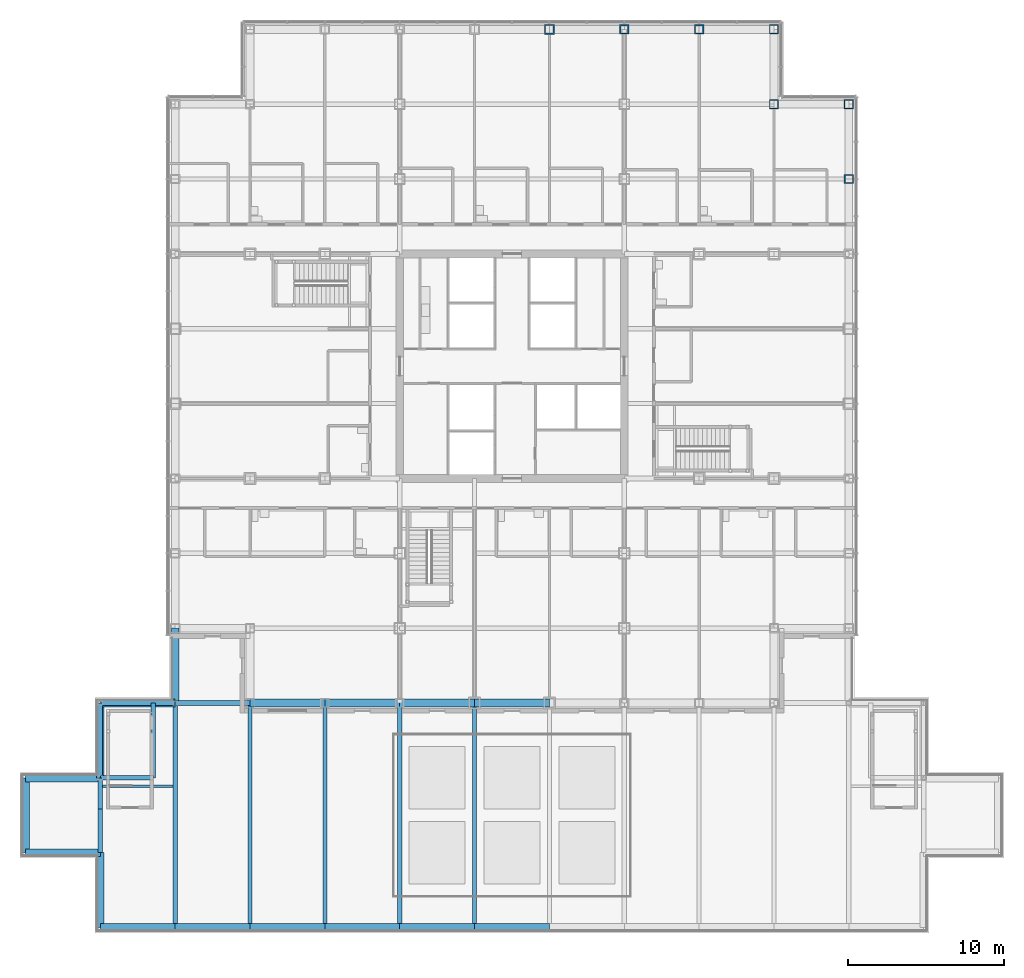
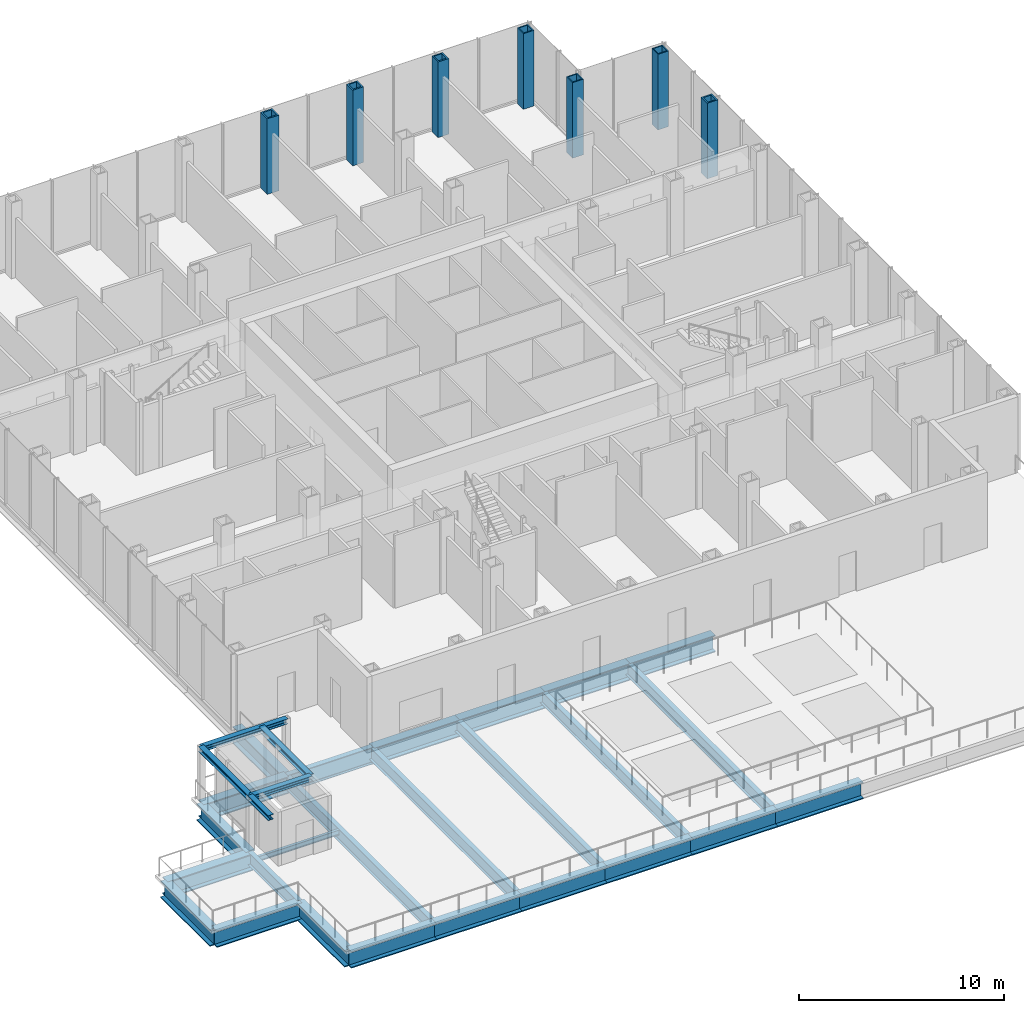
# One storey, part 8 of 24: 30 beams, 7 columns.
"""IFC4 building model written with IfcOpenShell, lengths in metres."""

from ifc_helpers import new_model, si_unit, direction, frame, origin, origin_2d, place, context, subcontext, project, spatial, hollow_rectangle, i_section, extrude, material, material_profile, profile_set, type_object, element, save


model = new_model("IFC4")

# Units and contexts
model_context = context("Model", 3, precision=1e-05, world=origin(), true_north=direction((0.0, 1.0)))
body_context = subcontext(model_context, "Body", "Model", "MODEL_VIEW")
ifc_project = project(units=[si_unit("LENGTHUNIT", "METRE"), si_unit("AREAUNIT", "SQUARE_METRE"), si_unit("VOLUMEUNIT", "CUBIC_METRE"), si_unit("PLANEANGLEUNIT", "RADIAN"), si_unit("MASSUNIT", "GRAM", prefix="KILO")], contexts=[model_context])

# Site, building, storey
site_placement = place(None, origin())
site = spatial("IfcSite", under=ifc_project, at=site_placement, CompositionType="ELEMENT")
building_placement = place(site_placement, origin())
building = spatial("IfcBuilding", under=site, at=building_placement, Name="Kvirike Care Tower", CompositionType="ELEMENT")
storey_placement = place(building_placement, frame((0.0, 0.0, 22.5)))
storey = spatial("IfcBuildingStorey", under=building, at=storey_placement, Name="L05", CompositionType="ELEMENT", Elevation=22.5)

# Columns
ifc_material_1 = material(Name="Steel S460", Category="steel")
ifc_material_profile_1 = material_profile(ifc_material_1, hollow_rectangle(XDim=0.60009765625, YDim=0.60009765625, WallThickness=0.06005859375, at=origin_2d()), Name="BX 600x600x60")
ifc_profile_set_1 = profile_set([ifc_material_profile_1], Name="Steel S460")
column_type_1 = type_object("IfcColumnType", Name="COLUMN BX 600x600x60", PredefinedType="COLUMN", material=ifc_profile_set_1)
for number, where, z_axis, x_axis, name in (
    (1, (38.39990234375, 52.800048828125, 0.0), (0.0, 0.0, 1.0), (0.0, 1.0, 0.0), "Column M11 L05"),
    (2, (38.39990234375, 57.60009765625, 0.0), (0.0, 0.0, 1.0), (0.0, 1.0, 0.0), "Column N11 L05"),
    (3, (43.199951171875, 52.800048828125, 0.0), (0.0, 0.0, 1.0), (0.0, 1.0, 0.0), "Column M12 L05"),
):
    element("IfcColumn", number, at=place(storey_placement, frame(where, z_axis=z_axis, x_axis=x_axis)), inside=storey, type_object=column_type_1, Name=name, PredefinedType="COLUMN", context=body_context, shape_type="SweptSolid", body=[
        extrude(hollow_rectangle(XDim=0.60009765625, YDim=0.60009765625, WallThickness=0.06005859375, at=origin_2d()), origin(), (0.0, 0.0, 1.0), 4.5),
    ])
ifc_material_2 = material(Name="Steel S460", Category="steel")
ifc_material_profile_2 = material_profile(ifc_material_2, hollow_rectangle(XDim=0.60009765625, YDim=0.60009765625, WallThickness=0.080078125, at=origin_2d()), Name="BX 600x600x80")
ifc_profile_set_2 = profile_set([ifc_material_profile_2], Name="Steel S460")
column_type_2 = type_object("IfcColumnType", Name="COLUMN BX 600x600x80", PredefinedType="COLUMN", material=ifc_profile_set_2)
for number, where, z_axis, x_axis, name in (
    (4, (28.800048828125, 57.60009765625, 0.0), (0.0, 0.0, 1.0), (0.0, 1.0, 0.0), "Column N9 L05"),
    (5, (33.60009765625, 57.60009765625, 0.0), (0.0, 0.0, 1.0), (0.0, 1.0, 0.0), "Column N10 L05"),
    (6, (43.199951171875, 48.0, 0.0), (0.0, 0.0, 1.0), (1.0, 0.0, 0.0), "Column L12 L05"),
):
    element("IfcColumn", number, at=place(storey_placement, frame(where, z_axis=z_axis, x_axis=x_axis)), inside=storey, type_object=column_type_2, Name=name, PredefinedType="COLUMN", context=body_context, shape_type="SweptSolid", body=[
        extrude(hollow_rectangle(XDim=0.60009765625, YDim=0.60009765625, WallThickness=0.080078125, at=origin_2d()), origin(), (0.0, 0.0, 1.0), 4.5),
    ])
ifc_material_3 = material(Name="Steel S460", Category="steel")
ifc_material_profile_3 = material_profile(ifc_material_3, hollow_rectangle(XDim=0.64990234375, YDim=0.64990234375, WallThickness=0.080078125, at=origin_2d()), Name="BX 650x650x80")
ifc_profile_set_3 = profile_set([ifc_material_profile_3], Name="Steel S460")
column_type_3 = type_object("IfcColumnType", Name="COLUMN BX 650x650x80", PredefinedType="COLUMN", material=ifc_profile_set_3)
column_placement = place(storey_placement, frame((24.0, 57.60009765625, 0.0), z_axis=(0.0, 0.0, 1.0), x_axis=(0.0, 1.0, 0.0)))
element("IfcColumn", 7, at=column_placement, inside=storey, type_object=column_type_3, Name="Column N8 L05", PredefinedType="COLUMN", context=body_context, shape_type="SweptSolid", body=[
    extrude(hollow_rectangle(XDim=0.64990234375, YDim=0.64990234375, WallThickness=0.080078125, at=origin_2d()), origin(), (0.0, 0.0, 1.0), 4.5),
])

# Beams
ifc_material_4 = material(Name="Steel S355", Category="steel")
ifc_material_profile_4 = material_profile(ifc_material_4, i_section(OverallWidth=0.26806640625, OverallDepth=0.77001953125, WebThickness=0.015625, FlangeThickness=0.025390625, FilletRadius=0.01708984375, at=origin_2d()), Name="IPE 750x196")
ifc_profile_set_4 = profile_set([ifc_material_profile_4], Name="Steel S355")
beam_type_1 = type_object("IfcBeamType", Name="FLOOR BEAM IPE 750x196", PredefinedType="BEAM", material=ifc_profile_set_4)
beam_1_placement = place(storey_placement, frame((-4.800048828125, 4.800048828125, -0.554931640625), z_axis=(0.0, 1.0, 0.0), x_axis=(-1.0, 0.0, 0.0)))
element("IfcBeam", 8, at=beam_1_placement, inside=storey, type_object=beam_type_1, Name="Floor Beam B2-C2 L05", PredefinedType="BEAM", context=body_context, shape_type="SweptSolid", body=[
    extrude(i_section(OverallWidth=0.26806640625, OverallDepth=0.77001953125, WebThickness=0.015625, FlangeThickness=0.025390625, FilletRadius=0.01708984375, at=origin_2d()), origin(), (0.0, 0.0, 1.0), 4.800048828125),
])
for number, where, z_axis, x_axis, name in (
    (9, (0.0, 0.0, -0.554931640625), (0.0, 1.0, 0.0), (-1.0, 0.0, 0.0), "Floor Beam A3-D3 L05"),
    (10, (4.800048828125, 0.0, -0.554931640625), (0.0, 1.0, 0.0), (-1.0, 0.0, 0.0), "Floor Beam A4-D4 L05"),
    (11, (9.60009765625, 0.0, -0.554931640625), (0.0, 1.0, 0.0), (-1.0, 0.0, 0.0), "Floor Beam A5-D5 L05"),
    (12, (14.39990234375, 0.0, -0.554931640625), (0.0, 1.0, 0.0), (-1.0, 0.0, 0.0), "Floor Beam A6-D6 L05"),
    (13, (19.199951171875, 0.0, -0.554931640625), (0.0, 1.0, 0.0), (-1.0, 0.0, 0.0), "Floor Beam A7-D7 L05"),
):
    element("IfcBeam", number, at=place(storey_placement, frame(where, z_axis=z_axis, x_axis=x_axis)), inside=storey, type_object=beam_type_1, Name=name, PredefinedType="BEAM", context=body_context, shape_type="SweptSolid", body=[
        extrude(i_section(OverallWidth=0.26806640625, OverallDepth=0.77001953125, WebThickness=0.015625, FlangeThickness=0.025390625, FilletRadius=0.01708984375, at=origin_2d()), origin(), (0.0, 0.0, 1.0), 14.39990234375),
    ])
ifc_material_5 = material(Name="Steel S355", Category="steel")
ifc_material_profile_5 = material_profile(ifc_material_5, i_section(OverallWidth=0.300048828125, OverallDepth=1.0, WebThickness=0.01904296875, FlangeThickness=0.035888671875, FilletRadius=0.030029296875, at=origin_2d()), Name="HE 1000 B")
ifc_profile_set_5 = profile_set([ifc_material_profile_5], Name="Steel S355")
beam_type_2 = type_object("IfcBeamType", Name="FRAME BEAM HE 1000 B", PredefinedType="BEAM", material=ifc_profile_set_5)
beam_2_placement = place(storey_placement, frame((0.0, 14.39990234375, -0.669921875), z_axis=(1.0, 0.0, 0.0), x_axis=(0.0, 1.0, 0.0)))
element("IfcBeam", 14, at=beam_2_placement, inside=storey, type_object=beam_type_2, Name="Frame Beam D3-D4 L05", PredefinedType="BEAM", context=body_context, shape_type="SweptSolid", body=[
    extrude(i_section(OverallWidth=0.300048828125, OverallDepth=1.0, WebThickness=0.01904296875, FlangeThickness=0.035888671875, FilletRadius=0.030029296875, at=origin_2d()), origin(), (0.0, 0.0, 1.0), 4.800048828125),
])
ifc_material_6 = material(Name="Steel S355", Category="steel")
ifc_material_profile_6 = material_profile(ifc_material_6, i_section(OverallWidth=0.300048828125, OverallDepth=0.300048828125, WebThickness=0.010986328125, FlangeThickness=0.01904296875, FilletRadius=0.027099609375, at=origin_2d()), Name="HE 300 B")
ifc_profile_set_6 = profile_set([ifc_material_profile_6], Name="Steel S355")
beam_type_3 = type_object("IfcBeamType", Name="HEAD-HOUSE ROOF BEAM HE 300 B", PredefinedType="BEAM", material=ifc_profile_set_6)
beam_3_placement = place(storey_placement, frame((-4.800048828125, 7.60009765625, 3.050048828125), z_axis=(0.0, 1.0, 0.0), x_axis=(-1.0, 0.0, 0.0)))
element("IfcBeam", 15, at=beam_3_placement, inside=storey, type_object=beam_type_3, Name="Stair 3 head-house roof beam 1", PredefinedType="BEAM", context=body_context, shape_type="SweptSolid", body=[
    extrude(i_section(OverallWidth=0.300048828125, OverallDepth=0.300048828125, WebThickness=0.010986328125, FlangeThickness=0.01904296875, FilletRadius=0.027099609375, at=origin_2d()), origin(), (0.0, 0.0, 1.0), 2.0),
])
beam_4_placement = place(storey_placement, frame((-4.800048828125, 9.60009765625, 3.050048828125), z_axis=(0.0, 1.0, 0.0), x_axis=(-1.0, 0.0, 0.0)))
element("IfcBeam", 16, at=beam_4_placement, inside=storey, type_object=beam_type_3, Name="Stair 3 head-house roof beam 2", PredefinedType="BEAM", context=body_context, shape_type="SweptSolid", body=[
    extrude(i_section(OverallWidth=0.300048828125, OverallDepth=0.300048828125, WebThickness=0.010986328125, FlangeThickness=0.01904296875, FilletRadius=0.027099609375, at=origin_2d()), origin(), (0.0, 0.0, 1.0), 4.7998046875),
])
beam_5_placement = place(storey_placement, frame((-4.800048828125, 14.39990234375, 3.050048828125), z_axis=(1.0, 0.0, 0.0), x_axis=(0.0, 1.0, 0.0)))
element("IfcBeam", 17, at=beam_5_placement, inside=storey, type_object=beam_type_3, Name="Stair 3 head-house roof beam 3", PredefinedType="BEAM", context=body_context, shape_type="SweptSolid", body=[
    extrude(i_section(OverallWidth=0.300048828125, OverallDepth=0.300048828125, WebThickness=0.010986328125, FlangeThickness=0.01904296875, FilletRadius=0.027099609375, at=origin_2d()), origin(), (0.0, 0.0, 1.0), 4.800048828125),
])
beam_6_placement = place(storey_placement, frame((-4.800048828125, 9.60009765625, 3.050048828125), z_axis=(1.0, 0.0, 0.0), x_axis=(0.0, 1.0, 0.0)))
element("IfcBeam", 18, at=beam_6_placement, inside=storey, type_object=beam_type_3, Name="Stair 3 head-house roof beam 4", PredefinedType="BEAM", context=body_context, shape_type="SweptSolid", body=[
    extrude(i_section(OverallWidth=0.300048828125, OverallDepth=0.300048828125, WebThickness=0.010986328125, FlangeThickness=0.01904296875, FilletRadius=0.027099609375, at=origin_2d()), origin(), (0.0, 0.0, 1.0), 3.400146484375),
])
beam_7_placement = place(storey_placement, frame((-1.39990234375, 9.60009765625, 3.050048828125), z_axis=(0.0, 1.0, 0.0), x_axis=(-1.0, 0.0, 0.0)))
element("IfcBeam", 19, at=beam_7_placement, inside=storey, type_object=beam_type_3, Name="Stair 3 head-house roof beam 5", PredefinedType="BEAM", context=body_context, shape_type="SweptSolid", body=[
    extrude(i_section(OverallWidth=0.300048828125, OverallDepth=0.300048828125, WebThickness=0.010986328125, FlangeThickness=0.01904296875, FilletRadius=0.027099609375, at=origin_2d()), origin(), (0.0, 0.0, 1.0), 4.7998046875),
])
ifc_material_7 = material(Name="Steel S355", Category="steel")
ifc_material_profile_7 = material_profile(ifc_material_7, i_section(OverallWidth=0.5, OverallDepth=1.0, WebThickness=0.030029296875, FlangeThickness=0.06005859375, at=origin_2d()), Name="PG 1000x500x30x60")
ifc_profile_set_7 = profile_set([ifc_material_profile_7], Name="Steel S355")
beam_type_4 = type_object("IfcBeamType", Name="SPANDREL PG 1000x500x30x60", PredefinedType="SPANDREL", material=ifc_profile_set_7)
for number, where, z_axis, x_axis, name in (
    (20, (-4.800048828125, 0.0, -0.669921875), (1.0, 0.0, 0.0), (0.0, 1.0, 0.0), "Spandrel A2-A3 L05"),
    (21, (0.0, 0.0, -0.669921875), (1.0, 0.0, 0.0), (0.0, 1.0, 0.0), "Spandrel A3-A4 L05"),
    (22, (4.800048828125, 0.0, -0.669921875), (1.0, 0.0, 0.0), (0.0, 1.0, 0.0), "Spandrel A4-A5 L05"),
):
    element("IfcBeam", number, at=place(storey_placement, frame(where, z_axis=z_axis, x_axis=x_axis)), inside=storey, type_object=beam_type_4, Name=name, PredefinedType="SPANDREL", context=body_context, shape_type="SweptSolid", body=[
        extrude(i_section(OverallWidth=0.5, OverallDepth=1.0, WebThickness=0.030029296875, FlangeThickness=0.06005859375, at=origin_2d()), origin(), (0.0, 0.0, 1.0), 4.800048828125),
    ])
beam_8_placement = place(storey_placement, frame((9.60009765625, 0.0, -0.669921875), z_axis=(1.0, 0.0, 0.0), x_axis=(0.0, 1.0, 0.0)))
element("IfcBeam", 23, at=beam_8_placement, inside=storey, type_object=beam_type_4, Name="Spandrel A5-A6 L05", PredefinedType="SPANDREL", context=body_context, shape_type="SweptSolid", body=[
    extrude(i_section(OverallWidth=0.5, OverallDepth=1.0, WebThickness=0.030029296875, FlangeThickness=0.06005859375, at=origin_2d()), origin(), (0.0, 0.0, 1.0), 4.7998046875),
])
for number, where, z_axis, x_axis, name in (
    (24, (14.39990234375, 0.0, -0.669921875), (1.0, 0.0, 0.0), (0.0, 1.0, 0.0), "Spandrel A6-A7 L05"),
    (25, (19.199951171875, 0.0, -0.669921875), (1.0, 0.0, 0.0), (0.0, 1.0, 0.0), "Spandrel A7-A8 L05"),
    (26, (-9.60009765625, 4.800048828125, -0.669921875), (1.0, 0.0, 0.0), (0.0, 1.0, 0.0), "Spandrel B1-B2 L05"),
    (27, (-9.60009765625, 9.60009765625, -0.669921875), (1.0, 0.0, 0.0), (0.0, 1.0, 0.0), "Spandrel C1-C2 L05"),
    (28, (-4.800048828125, 14.39990234375, -0.669921875), (1.0, 0.0, 0.0), (0.0, 1.0, 0.0), "Spandrel D2-D3 L05"),
    (29, (4.800048828125, 14.39990234375, -0.669921875), (1.0, 0.0, 0.0), (0.0, 1.0, 0.0), "Spandrel D4-D5 L05"),
):
    element("IfcBeam", number, at=place(storey_placement, frame(where, z_axis=z_axis, x_axis=x_axis)), inside=storey, type_object=beam_type_4, Name=name, PredefinedType="SPANDREL", context=body_context, shape_type="SweptSolid", body=[
        extrude(i_section(OverallWidth=0.5, OverallDepth=1.0, WebThickness=0.030029296875, FlangeThickness=0.06005859375, at=origin_2d()), origin(), (0.0, 0.0, 1.0), 4.800048828125),
    ])
beam_9_placement = place(storey_placement, frame((9.60009765625, 14.39990234375, -0.669921875), z_axis=(1.0, 0.0, 0.0), x_axis=(0.0, 1.0, 0.0)))
element("IfcBeam", 30, at=beam_9_placement, inside=storey, type_object=beam_type_4, Name="Spandrel D5-D6 L05", PredefinedType="SPANDREL", context=body_context, shape_type="SweptSolid", body=[
    extrude(i_section(OverallWidth=0.5, OverallDepth=1.0, WebThickness=0.030029296875, FlangeThickness=0.06005859375, at=origin_2d()), origin(), (0.0, 0.0, 1.0), 4.7998046875),
])
for number, where, z_axis, x_axis, name in (
    (31, (14.39990234375, 14.39990234375, -0.669921875), (1.0, 0.0, 0.0), (0.0, 1.0, 0.0), "Spandrel D6-D7 L05"),
    (32, (19.199951171875, 14.39990234375, -0.669921875), (1.0, 0.0, 0.0), (0.0, 1.0, 0.0), "Spandrel D7-D8 L05"),
    (33, (-9.60009765625, 4.800048828125, -0.669921875), (0.0, 1.0, 0.0), (-1.0, 0.0, 0.0), "Spandrel B1-C1 L05"),
    (34, (-4.800048828125, 0.0, -0.669921875), (0.0, 1.0, 0.0), (-1.0, 0.0, 0.0), "Spandrel A2-B2 L05"),
):
    element("IfcBeam", number, at=place(storey_placement, frame(where, z_axis=z_axis, x_axis=x_axis)), inside=storey, type_object=beam_type_4, Name=name, PredefinedType="SPANDREL", context=body_context, shape_type="SweptSolid", body=[
        extrude(i_section(OverallWidth=0.5, OverallDepth=1.0, WebThickness=0.030029296875, FlangeThickness=0.06005859375, at=origin_2d()), origin(), (0.0, 0.0, 1.0), 4.800048828125),
    ])
beam_10_placement = place(storey_placement, frame((-4.800048828125, 9.60009765625, -0.669921875), z_axis=(0.0, 1.0, 0.0), x_axis=(-1.0, 0.0, 0.0)))
element("IfcBeam", 35, at=beam_10_placement, inside=storey, type_object=beam_type_4, Name="Spandrel C2-D2 L05", PredefinedType="SPANDREL", context=body_context, shape_type="SweptSolid", body=[
    extrude(i_section(OverallWidth=0.5, OverallDepth=1.0, WebThickness=0.030029296875, FlangeThickness=0.06005859375, at=origin_2d()), origin(), (0.0, 0.0, 1.0), 4.7998046875),
])
beam_11_placement = place(storey_placement, frame((0.0, 14.39990234375, -0.669921875), z_axis=(0.0, 1.0, 0.0), x_axis=(-1.0, 0.0, 0.0)))
element("IfcBeam", 36, at=beam_11_placement, inside=storey, type_object=beam_type_4, Name="Spandrel D3-E3 L05", PredefinedType="SPANDREL", context=body_context, shape_type="SweptSolid", body=[
    extrude(i_section(OverallWidth=0.5, OverallDepth=1.0, WebThickness=0.030029296875, FlangeThickness=0.06005859375, at=origin_2d()), origin(), (0.0, 0.0, 1.0), 4.800048828125),
])
ifc_material_8 = material(Name="Steel S355", Category="steel")
ifc_material_profile_8 = material_profile(ifc_material_8, i_section(OverallWidth=0.14990234375, OverallDepth=0.300048828125, WebThickness=0.007080078125, FlangeThickness=0.0107421875, FilletRadius=0.014892578125, at=origin_2d()), Name="IPE 300")
ifc_profile_set_8 = profile_set([ifc_material_profile_8], Name="Steel S355")
beam_type_5 = type_object("IfcBeamType", Name="STAIR TRIMMER IPE 300", PredefinedType="BEAM", material=ifc_profile_set_8)
beam_12_placement = place(storey_placement, frame((-4.666015625, 9.06494140625, -0.320068359375), z_axis=(1.0, 0.0, 0.0), x_axis=(0.0, 1.0, 0.0)))
element("IfcBeam", 37, at=beam_12_placement, inside=storey, type_object=beam_type_5, Name="Stair 3 trimmer 2 L05", PredefinedType="BEAM", context=body_context, shape_type="SweptSolid", body=[
    extrude(i_section(OverallWidth=0.14990234375, OverallDepth=0.300048828125, WebThickness=0.007080078125, FlangeThickness=0.0107421875, FilletRadius=0.014892578125, at=origin_2d()), origin(), (0.0, 0.0, 1.0), 4.531982421875),
])

save(model, "model.ifc")
